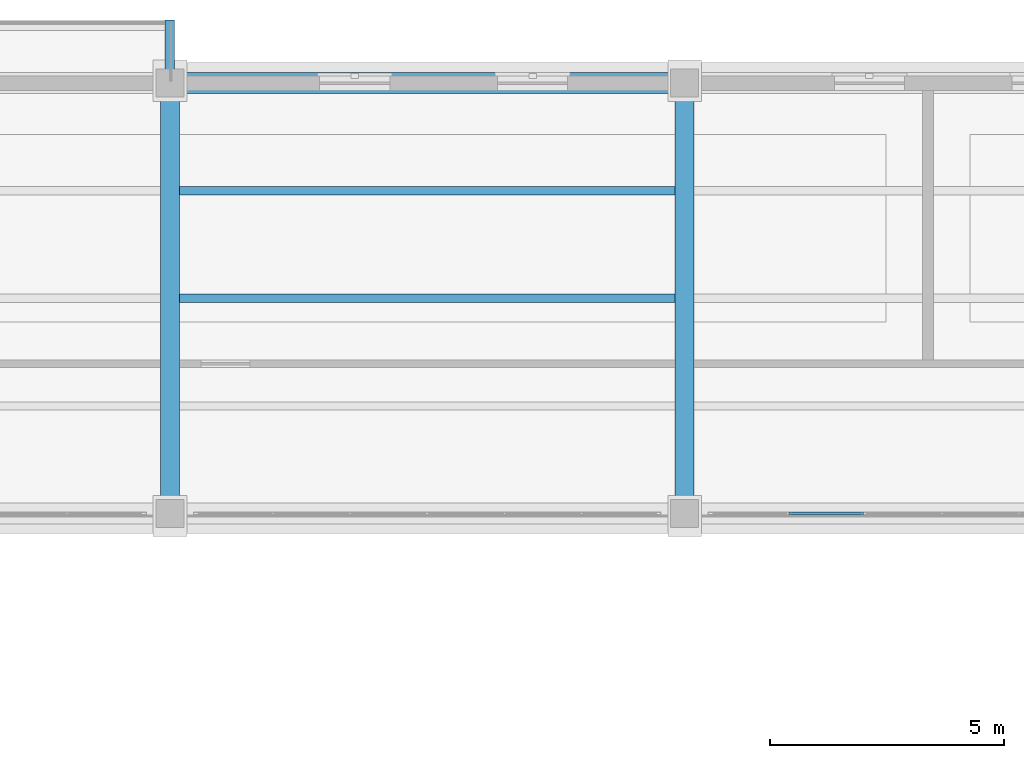
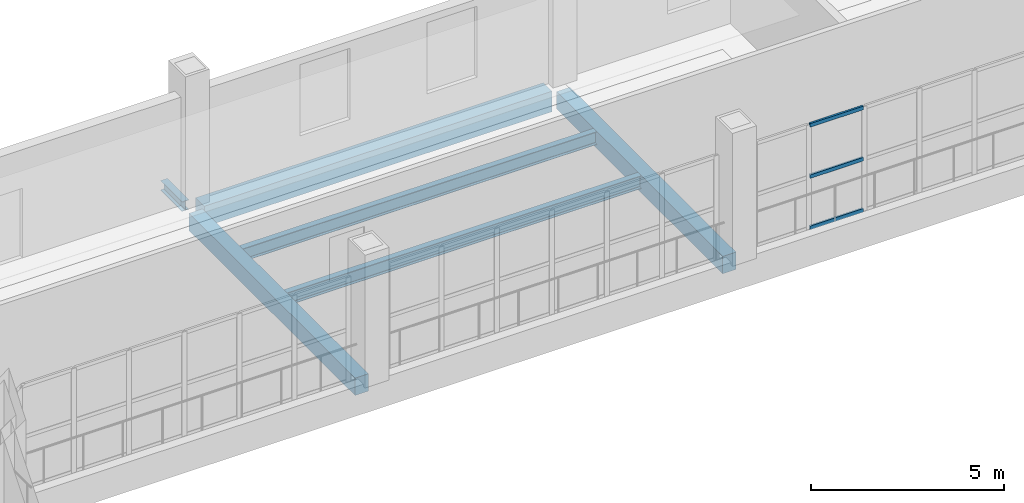
# One storey, part 65 of 120: 6 beams, 3 members, 1 element without a shape of its own.
"""IFC4 building model written with IfcOpenShell, lengths in metres."""

from ifc_helpers import new_model, si_unit, direction, frame, origin, origin_2d, place, context, subcontext, project, spatial, rectangle, hollow_rectangle, i_section, extrude, material, material_profile, profile_set, type_object, element, aggregate, save


model = new_model("IFC4")

# Units and contexts
model_context = context("Model", 3, precision=1e-05, world=origin(), true_north=direction((0.0, 1.0)))
body_context = subcontext(model_context, "Body", "Model", "MODEL_VIEW")
ifc_project = project(units=[si_unit("LENGTHUNIT", "METRE"), si_unit("AREAUNIT", "SQUARE_METRE"), si_unit("VOLUMEUNIT", "CUBIC_METRE"), si_unit("PLANEANGLEUNIT", "RADIAN"), si_unit("MASSUNIT", "GRAM", prefix="KILO")], contexts=[model_context])

# Site, building, storey
site_placement = place(None, origin())
site = spatial("IfcSite", under=ifc_project, at=site_placement, CompositionType="ELEMENT")
building_placement = place(site_placement, origin())
building = spatial("IfcBuilding", under=site, at=building_placement, Name="Caurita Quay Ferry Terminal", CompositionType="ELEMENT")
storey_placement = place(building_placement, frame((0.0, 0.0, 9.89990234375)))
storey = spatial("IfcBuildingStorey", under=building, at=storey_placement, Name="L02", CompositionType="ELEMENT", Elevation=9.89990234375)

# Beams
ifc_material_1 = material(Name="Structural steel ASTM A992 Gr. 50", Category="steel")
ifc_material_profile_1 = material_profile(ifc_material_1, i_section(OverallWidth=0.1787109375, OverallDepth=0.408935546875, WebThickness=0.0087890625, FlangeThickness=0.014404296875, FilletRadius=0.011474609375, at=origin_2d()), Name="W16X45")
ifc_profile_set_1 = profile_set([ifc_material_profile_1], Name="Structural steel ASTM A992 Gr. 50")
beam_type_1 = type_object("IfcBeamType", Name="BM-JS-W16A", PredefinedType="JOIST", material=ifc_profile_set_1)
for number, where, z_axis, x_axis, name in (
    (1, (33.199951171875, 112.39990234375, -0.42431640625), (1.0, 0.0, 0.0), (0.0, 1.0, 0.0), "L02 Beam JS-V5-L02-030"),
    (2, (33.199951171875, 114.699951171875, -0.42431640625), (1.0, 0.0, 0.0), (0.0, 1.0, 0.0), "L02 Beam JS-V5-L02-031"),
):
    element("IfcBeam", number, at=place(storey_placement, frame(where, z_axis=z_axis, x_axis=x_axis)), inside=storey, type_object=beam_type_1, Name=name, PredefinedType="JOIST", context=body_context, shape_type="SweptSolid", body=[
        extrude(i_section(OverallWidth=0.1787109375, OverallDepth=0.408935546875, WebThickness=0.0087890625, FlangeThickness=0.014404296875, FilletRadius=0.011474609375, at=origin_2d()), origin(), (0.0, 0.0, 1.0), 10.60009765625),
    ])
ifc_material_profile_2 = material_profile(ifc_material_1, i_section(OverallWidth=0.20458984375, OverallDepth=0.307373046875, WebThickness=0.008544921875, FlangeThickness=0.0146484375, FilletRadius=0.0126953125, at=origin_2d()), Name="W12X45")
ifc_profile_set_2 = profile_set([ifc_material_profile_2], Name="Structural steel ASTM A992 Gr. 50")
beam_type_2 = type_object("IfcBeamType", Name="BM-OUT-W12", PredefinedType="BEAM", material=ifc_profile_set_2)
beam_1_placement = place(storey_placement, frame((33.0, 117.239990234375, -0.37353515625), z_axis=(0.0, 1.0, 0.0), x_axis=(-1.0, 0.0, 0.0)))
element("IfcBeam", 3, at=beam_1_placement, inside=storey, type_object=beam_type_2, Name="L02 Balcony Outrigger Cantilever 16", PredefinedType="BEAM", context=body_context, shape_type="SweptSolid", body=[
    extrude(i_section(OverallWidth=0.20458984375, OverallDepth=0.307373046875, WebThickness=0.008544921875, FlangeThickness=0.0146484375, FilletRadius=0.0126953125, at=origin_2d()), origin(), (0.0, 0.0, 1.0), 1.110107421875),
])
ifc_material_2 = material(Name="Reinforced concrete C35/45", Category="concrete")
ifc_material_profile_3 = material_profile(ifc_material_2, rectangle(XDim=0.39990234375, YDim=0.550048828125, at=origin_2d()), Name="RC-BM-400X550")
ifc_profile_set_3 = profile_set([ifc_material_profile_3], Name="Reinforced concrete C35/45")
beam_type_3 = type_object("IfcBeamType", Name="BM-RC-4055", PredefinedType="BEAM", material=ifc_profile_set_3)
for number, where, z_axis, x_axis, name in (
    (4, (33.0, 108.097412109375, -0.494873046875), (0.0, 1.0, 0.0), (-1.0, 0.0, 0.0), "L02 Beam BM-V5-L02-Y-330-1081"),
    (5, (44.0, 108.097412109375, -0.494873046875), (0.0, 1.0, 0.0), (-1.0, 0.0, 0.0), "L02 Beam BM-V5-L02-Y-440-1081"),
):
    element("IfcBeam", number, at=place(storey_placement, frame(where, z_axis=z_axis, x_axis=x_axis)), inside=storey, type_object=beam_type_3, Name=name, PredefinedType="BEAM", context=body_context, shape_type="SweptSolid", body=[
        extrude(rectangle(XDim=0.39990234375, YDim=0.550048828125, at=origin_2d()), origin(), (0.0, 0.0, 1.0), 8.60498046875),
    ])
ifc_material_profile_4 = material_profile(ifc_material_2, rectangle(XDim=0.449951171875, YDim=0.64990234375, at=origin_2d()), Name="RC-BM-450X650")
ifc_profile_set_4 = profile_set([ifc_material_profile_4], Name="Reinforced concrete C35/45")
beam_type_4 = type_object("IfcBeamType", Name="BM-RC-4565", PredefinedType="BEAM", material=ifc_profile_set_4)
beam_2_placement = place(storey_placement, frame((33.297607421875, 117.0, -0.544921875), z_axis=(1.0, 0.0, 0.0), x_axis=(0.0, 1.0, 0.0)))
element("IfcBeam", 6, at=beam_2_placement, inside=storey, type_object=beam_type_4, Name="L02 Beam BM-V5-L02-X-333-1170", PredefinedType="BEAM", context=body_context, shape_type="SweptSolid", body=[
    extrude(rectangle(XDim=0.449951171875, YDim=0.64990234375, at=origin_2d()), origin(), (0.0, 0.0, 1.0), 10.40478515625),
])

# Curtain wall, members
ifc_material_3 = material(Name="Laminated solar-control insulated glass", Category="glass")
curtain_wall_type = type_object("IfcCurtainWallType", Name="CW-SYS-24", PredefinedType="NOTDEFINED", material=ifc_material_3)
curtain_wall_placement = place(storey_placement, origin())
curtain_wall = element("IfcCurtainWall", 7, at=curtain_wall_placement, inside=storey, type_object=curtain_wall_type, Name="L02 Courtyard Cloister Storefront 170", PredefinedType="NOTDEFINED")
ifc_material_4 = material(Name="Anodized aluminium 6063-T6", Category="aluminium")
ifc_material_profile_5 = material_profile(ifc_material_4, hollow_rectangle(XDim=0.06005859375, YDim=0.114990234375, WallThickness=0.00341796875, at=origin_2d()), Name="ALU-TRN-60X115")
ifc_profile_set_5 = profile_set([ifc_material_profile_5], Name="Anodized aluminium 6063-T6")
member_type = type_object("IfcMemberType", Name="CW-TRN-115", PredefinedType="USERDEFINED", material=ifc_profile_set_5)
member_1_placement = place(storey_placement, frame((46.22802734375, 107.800048828125, 0.030029296875), z_axis=(1.0, 0.0, 0.0), x_axis=(0.0, 1.0, 0.0)))
member_1 = element("IfcMember", 8, at=member_1_placement, type_object=member_type, Name="CW-CRT-170 Transom 4", ObjectType="TRANSOM", PredefinedType="USERDEFINED", context=body_context, shape_type="SweptSolid", body=[
    extrude(hollow_rectangle(XDim=0.06005859375, YDim=0.114990234375, WallThickness=0.00341796875, at=origin_2d()), origin(), (0.0, 0.0, 1.0), 1.593994140625),
])
member_2_placement = place(storey_placement, frame((46.22802734375, 107.800048828125, 1.650146484375), z_axis=(1.0, 0.0, 0.0), x_axis=(0.0, 1.0, 0.0)))
member_2 = element("IfcMember", 9, at=member_2_placement, type_object=member_type, Name="CW-CRT-170 Transom 5", ObjectType="TRANSOM", PredefinedType="USERDEFINED", context=body_context, shape_type="SweptSolid", body=[
    extrude(hollow_rectangle(XDim=0.06005859375, YDim=0.114990234375, WallThickness=0.00341796875, at=origin_2d()), origin(), (0.0, 0.0, 1.0), 1.593994140625),
])
member_3_placement = place(storey_placement, frame((46.22802734375, 107.800048828125, 3.27001953125), z_axis=(1.0, 0.0, 0.0), x_axis=(0.0, 1.0, 0.0)))
member_3 = element("IfcMember", 10, at=member_3_placement, type_object=member_type, Name="CW-CRT-170 Transom 6", ObjectType="TRANSOM", PredefinedType="USERDEFINED", context=body_context, shape_type="SweptSolid", body=[
    extrude(hollow_rectangle(XDim=0.06005859375, YDim=0.114990234375, WallThickness=0.00341796875, at=origin_2d()), origin(), (0.0, 0.0, 1.0), 1.593994140625),
])
aggregate(curtain_wall, [member_1, member_2, member_3])

save(model, "model.ifc")
